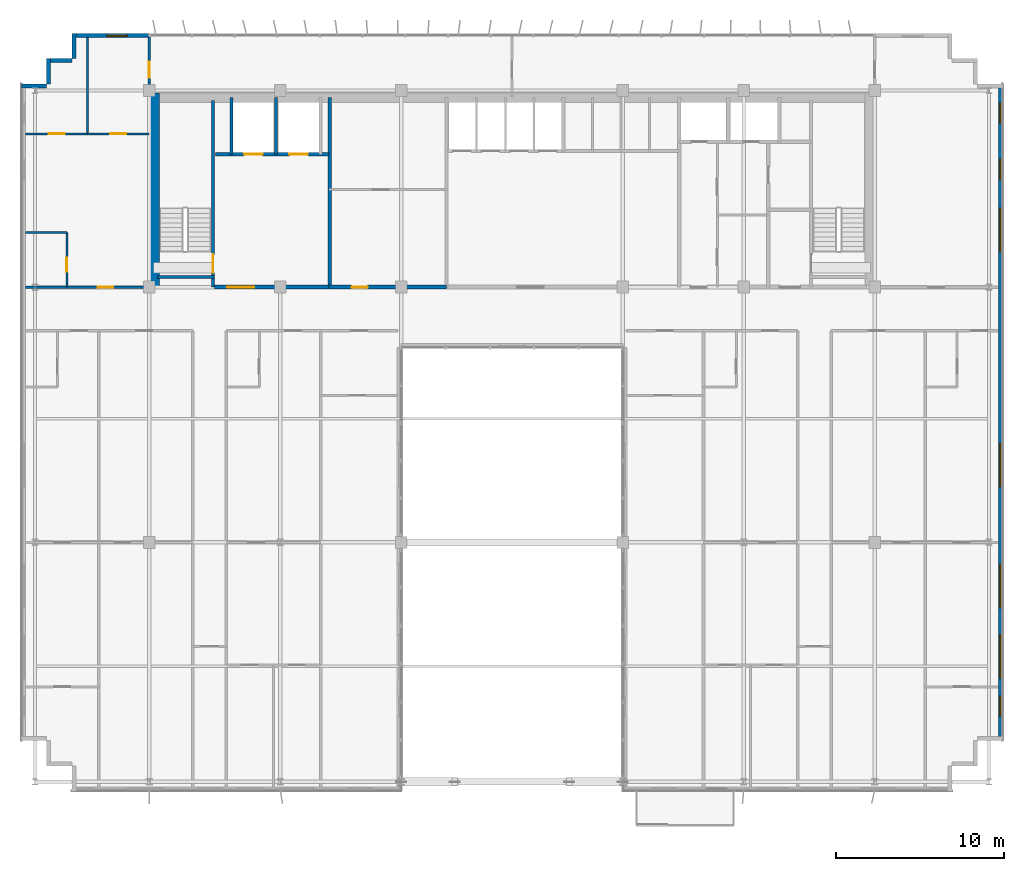
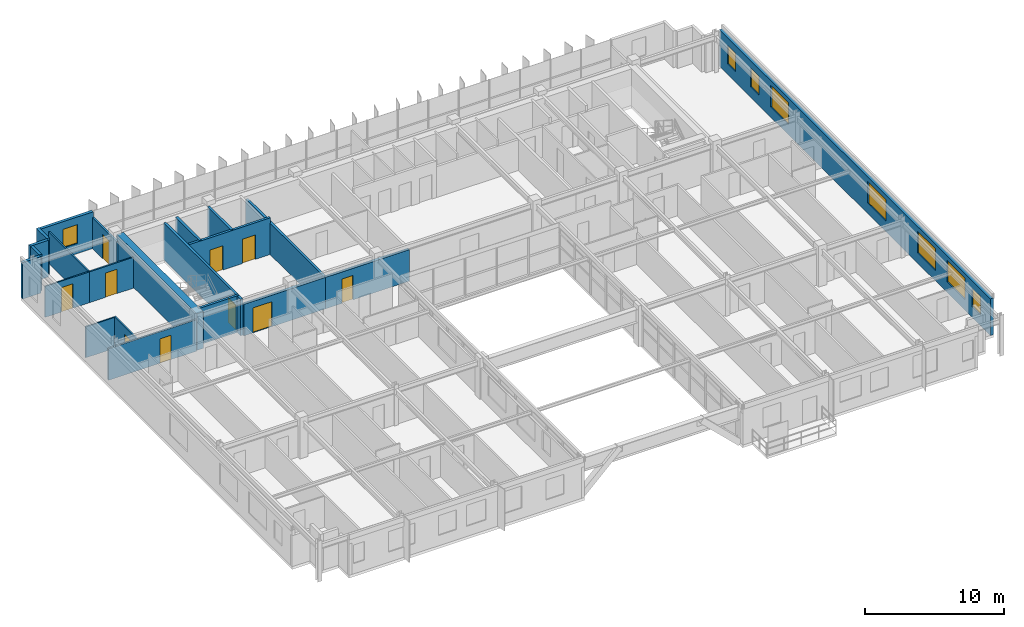
# One storey, part 33 of 37: 22 walls, 10 doors, 8 windows, 18 openings.
"""IFC4 building model written with IfcOpenShell, lengths in metres."""

from ifc_helpers import new_model, si_unit, direction, frame, frame_2d, origin, place, context, subcontext, project, spatial, rectangle, extrude, source, transform, mapped, material, layer, layer_set, type_object, element, fill, save


model = new_model("IFC4")

# Units and contexts
model_context = context("Model", 3, precision=1e-05, world=origin(), true_north=direction((0.0, 1.0)))
body_context = subcontext(model_context, "Body", "Model", "MODEL_VIEW")
ifc_project = project(units=[si_unit("LENGTHUNIT", "METRE"), si_unit("AREAUNIT", "SQUARE_METRE"), si_unit("VOLUMEUNIT", "CUBIC_METRE"), si_unit("PLANEANGLEUNIT", "RADIAN"), si_unit("MASSUNIT", "GRAM", prefix="KILO")], contexts=[model_context])

# Site, building, storey
site_placement = place(None, origin())
site = spatial("IfcSite", under=ifc_project, at=site_placement, CompositionType="ELEMENT")
building_placement = place(site_placement, origin())
building = spatial("IfcBuilding", under=site, at=building_placement, Name="Trelvane Seafront Commons", CompositionType="ELEMENT")
storey_placement = place(building_placement, frame((0.0, 0.0, 201.300048828125)))
storey = spatial("IfcBuildingStorey", under=building, at=storey_placement, Name="L52", CompositionType="ELEMENT", Elevation=201.300048828125)

# Wall, opening, window
ifc_material_1 = material(Name="Precast concrete C40/50", Category="concrete")
ifc_layer_1 = layer(ifc_material_1, 0.239990234375, Name="ARCH-WALL-EXT240")
ifc_layer_set_1 = layer_set([ifc_layer_1], Name="Precast concrete C40/50")
wall_type_1 = type_object("IfcWallType", Name="ARCH-WALL-EXT240", PredefinedType="SOLIDWALL", material=ifc_layer_set_1)
wall_1_placement = place(storey_placement, frame((11.10009765625, 48.3701171875, 0.0), z_axis=(0.0, 0.0, 1.0), x_axis=(1.0, 0.0, 0.0)))
wall_1 = element("IfcWall", 1, at=wall_1_placement, inside=storey, type_object=wall_type_1, Name="EW-L52-NW-1032", PredefinedType="SOLIDWALL", context=body_context, shape_type="SweptSolid", body=[
    extrude(rectangle(XDim=4.5, YDim=0.239990234375, at=frame_2d((2.25, 0.0))), origin(), (0.0, 0.0, 1.0), 3.219970703125),
])
opening_1_placement = place(wall_1_placement, frame((1.98291015625, 0.0, 0.89990234375)))
opening_1 = element("IfcOpeningElement", 2, at=opening_1_placement, cuts=wall_1, Name="Opening W05", PredefinedType="OPENING", context=body_context, shape_type="SweptSolid", body=[
    extrude(rectangle(XDim=1.199951171875, YDim=1.64990234375, at=frame_2d((0.60009765625, 0.824951171875))), frame((0.0, 0.1298828125, 0.0), z_axis=(0.0, -1.0, 0.0), x_axis=(1.0, 0.0, 0.0)), (0.0, 0.0, 1.0), 0.260009765625),
])
ifc_material_2 = material(Name="Low-E coastal double glazing", Category="glass")
window_type_1 = type_object("IfcWindowType", Name="ARCH-WIN-W05", PartitioningType="SINGLE_PANEL", PredefinedType="WINDOW", material=ifc_material_2)
shared_shape_1 = source(origin(), body_context, "Body", "SweptSolid", [
    extrude(rectangle(XDim=1.199951171875, YDim=1.64990234375, at=frame_2d((0.60009765625, 0.824951171875))), frame((0.0, 0.030029296875, 0.0), z_axis=(0.0, -1.0, 0.0), x_axis=(1.0, 0.0, 0.0)), (0.0, 0.0, 1.0), 0.06005859375),
])
window_1_placement = place(opening_1_placement, origin())
window_1 = element("IfcWindow", 3, at=window_1_placement, inside=storey, type_object=window_type_1, Name="WIN-L52-01236", OverallHeight=1.64990234375, OverallWidth=1.199951171875, PartitioningType="SINGLE_PANEL", PredefinedType="WINDOW", context=body_context, shape_type="MappedRepresentation", body=[
    mapped(shared_shape_1, transform((0.0, 0.0, 0.0), x_axis=(1.0, 0.0, 0.0), y_axis=(0.0, 1.0, 0.0), z_axis=(0.0, 0.0, 1.0), scale=1.0)),
])
fill(opening_1, window_1)

# Walls
for number, where, z_axis, x_axis, name in (
    (4, (8.0, 45.3798828125, 0.0), (0.0, 0.0, 1.0), (1.0, 0.0, 0.0), "EW-L52-01038"),
    (5, (9.6201171875, 45.5, 0.0), (0.0, 0.0, 1.0), (0.0, 1.0, 0.0), "EW-L52-01039"),
    (6, (9.5, 46.8798828125, 0.0), (0.0, 0.0, 1.0), (1.0, 0.0, 0.0), "EW-L52-01040"),
    (7, (11.1201171875, 47.0, 0.0), (0.0, 0.0, 1.0), (0.0, 1.0, 0.0), "EW-L52-01041"),
):
    element("IfcWall", number, at=place(storey_placement, frame(where, z_axis=z_axis, x_axis=x_axis)), inside=storey, type_object=wall_type_1, Name=name, PredefinedType="SOLIDWALL", context=body_context, shape_type="SweptSolid", body=[
        extrude(rectangle(XDim=1.5, YDim=0.239990234375, at=frame_2d((0.75, 0.0))), origin(), (0.0, 0.0, 1.0), 3.219970703125),
    ])

# Wall, openings, windows
wall_2_placement = place(storey_placement, frame((66.280029296875, 45.5, 0.0), z_axis=(0.0, 0.0, 1.0), x_axis=(0.0, -1.0, 0.0)))
wall_2 = element("IfcWall", 8, at=wall_2_placement, inside=storey, type_object=wall_type_1, Name="EW-L52-01046", PredefinedType="SOLIDWALL", context=body_context, shape_type="SweptSolid", body=[
    extrude(rectangle(XDim=39.10009765625, YDim=0.239990234375, at=frame_2d((19.550048828125, 0.0))), origin(), (0.0, 0.0, 1.0), 3.219970703125),
])
opening_2_placement = place(wall_2_placement, frame((36.449951171875, 0.0, 0.919921875)))
opening_2 = element("IfcOpeningElement", 9, at=opening_2_placement, cuts=wall_2, Name="Opening W05", PredefinedType="OPENING", context=body_context, shape_type="SweptSolid", body=[
    extrude(rectangle(XDim=1.199951171875, YDim=1.64990234375, at=frame_2d((0.60009765625, 0.824951171875))), frame((0.0, 0.1298828125, 0.0), z_axis=(0.0, -1.0, 0.0), x_axis=(1.0, 0.0, 0.0)), (0.0, 0.0, 1.0), 0.260009765625),
])
opening_3_placement = place(wall_2_placement, frame((32.800048828125, 0.0, 0.919921875)))
opening_3 = element("IfcOpeningElement", 10, at=opening_3_placement, cuts=wall_2, Name="Opening W04", PredefinedType="OPENING", context=body_context, shape_type="SweptSolid", body=[
    extrude(rectangle(XDim=2.60009765625, YDim=1.89990234375, at=frame_2d((1.300048828125, 0.949951171875))), frame((0.0, 0.1298828125, 0.0), z_axis=(0.0, -1.0, 0.0), x_axis=(1.0, 0.0, 0.0)), (0.0, 0.0, 1.0), 0.260009765625),
])
opening_4_placement = place(wall_2_placement, frame((28.60009765625, 0.0, 0.919921875)))
opening_4 = element("IfcOpeningElement", 11, at=opening_4_placement, cuts=wall_2, Name="Opening W04", PredefinedType="OPENING", context=body_context, shape_type="SweptSolid", body=[
    extrude(rectangle(XDim=2.60009765625, YDim=1.89990234375, at=frame_2d((1.300048828125, 0.949951171875))), frame((0.0, 0.1298828125, 0.0), z_axis=(0.0, -1.0, 0.0), x_axis=(1.0, 0.0, 0.0)), (0.0, 0.0, 1.0), 0.260009765625),
])
opening_5_placement = place(wall_2_placement, frame((21.39990234375, 0.0, 0.919921875)))
opening_5 = element("IfcOpeningElement", 12, at=opening_5_placement, cuts=wall_2, Name="Opening W04", PredefinedType="OPENING", context=body_context, shape_type="SweptSolid", body=[
    extrude(rectangle(XDim=2.60009765625, YDim=1.89990234375, at=frame_2d((1.300048828125, 0.949951171875))), frame((0.0, 0.1298828125, 0.0), z_axis=(0.0, -1.0, 0.0), x_axis=(1.0, 0.0, 0.0)), (0.0, 0.0, 1.0), 0.260009765625),
])
opening_6_placement = place(wall_2_placement, frame((7.39990234375, 0.0, 0.919921875)))
opening_6 = element("IfcOpeningElement", 13, at=opening_6_placement, cuts=wall_2, Name="Opening W04", PredefinedType="OPENING", context=body_context, shape_type="SweptSolid", body=[
    extrude(rectangle(XDim=2.60009765625, YDim=1.89990234375, at=frame_2d((1.300048828125, 0.949951171875))), frame((0.0, 0.1298828125, 0.0), z_axis=(0.0, -1.0, 0.0), x_axis=(1.0, 0.0, 0.0)), (0.0, 0.0, 1.0), 0.260009765625),
])
opening_7_placement = place(wall_2_placement, frame((4.5, 0.0, 0.919921875)))
opening_7 = element("IfcOpeningElement", 14, at=opening_7_placement, cuts=wall_2, Name="Opening W05", PredefinedType="OPENING", context=body_context, shape_type="SweptSolid", body=[
    extrude(rectangle(XDim=1.199951171875, YDim=1.64990234375, at=frame_2d((0.60009765625, 0.824951171875))), frame((0.0, 0.1298828125, 0.0), z_axis=(0.0, -1.0, 0.0), x_axis=(1.0, 0.0, 0.0)), (0.0, 0.0, 1.0), 0.260009765625),
])
opening_8_placement = place(wall_2_placement, frame((1.14990234375, 0.0, 0.919921875)))
opening_8 = element("IfcOpeningElement", 15, at=opening_8_placement, cuts=wall_2, Name="Opening W05", PredefinedType="OPENING", context=body_context, shape_type="SweptSolid", body=[
    extrude(rectangle(XDim=1.199951171875, YDim=1.64990234375, at=frame_2d((0.60009765625, 0.824951171875))), frame((0.0, 0.1298828125, 0.0), z_axis=(0.0, -1.0, 0.0), x_axis=(1.0, 0.0, 0.0)), (0.0, 0.0, 1.0), 0.260009765625),
])
window_type_2 = type_object("IfcWindowType", Name="ARCH-WIN-W04", PartitioningType="SINGLE_PANEL", PredefinedType="WINDOW", material=ifc_material_2)
shared_shape_2 = source(origin(), body_context, "Body", "SweptSolid", [
    extrude(rectangle(XDim=2.60009765625, YDim=1.89990234375, at=frame_2d((1.300048828125, 0.949951171875))), frame((0.0, 0.030029296875, 0.0), z_axis=(0.0, -1.0, 0.0), x_axis=(1.0, 0.0, 0.0)), (0.0, 0.0, 1.0), 0.06005859375),
])
window_2_placement = place(opening_3_placement, origin())
window_2 = element("IfcWindow", 16, at=window_2_placement, inside=storey, type_object=window_type_2, Name="WIN-L52-EW-01245", OverallHeight=1.89990234375, OverallWidth=2.60009765625, PartitioningType="SINGLE_PANEL", PredefinedType="WINDOW", context=body_context, shape_type="MappedRepresentation", body=[
    mapped(shared_shape_2, transform((0.0, 0.0, 0.0), x_axis=(1.0, 0.0, 0.0), y_axis=(0.0, 1.0, 0.0), z_axis=(0.0, 0.0, 1.0), scale=1.0)),
])
fill(opening_3, window_2)
window_3_placement = place(opening_4_placement, origin())
window_3 = element("IfcWindow", 17, at=window_3_placement, inside=storey, type_object=window_type_2, Name="WIN-L52-EW-01246", OverallHeight=1.89990234375, OverallWidth=2.60009765625, PartitioningType="SINGLE_PANEL", PredefinedType="WINDOW", context=body_context, shape_type="MappedRepresentation", body=[
    mapped(shared_shape_2, transform((0.0, 0.0, 0.0), x_axis=(1.0, 0.0, 0.0), y_axis=(0.0, 1.0, 0.0), z_axis=(0.0, 0.0, 1.0), scale=1.0)),
])
fill(opening_4, window_3)
window_4_placement = place(opening_5_placement, origin())
window_4 = element("IfcWindow", 18, at=window_4_placement, inside=storey, type_object=window_type_2, Name="WIN-L52-EW-01247", OverallHeight=1.89990234375, OverallWidth=2.60009765625, PartitioningType="SINGLE_PANEL", PredefinedType="WINDOW", context=body_context, shape_type="MappedRepresentation", body=[
    mapped(shared_shape_2, transform((0.0, 0.0, 0.0), x_axis=(1.0, 0.0, 0.0), y_axis=(0.0, 1.0, 0.0), z_axis=(0.0, 0.0, 1.0), scale=1.0)),
])
fill(opening_5, window_4)
window_5_placement = place(opening_6_placement, origin())
window_5 = element("IfcWindow", 19, at=window_5_placement, inside=storey, type_object=window_type_2, Name="WIN-L52-EW-01248", OverallHeight=1.89990234375, OverallWidth=2.60009765625, PartitioningType="SINGLE_PANEL", PredefinedType="WINDOW", context=body_context, shape_type="MappedRepresentation", body=[
    mapped(shared_shape_2, transform((0.0, 0.0, 0.0), x_axis=(1.0, 0.0, 0.0), y_axis=(0.0, 1.0, 0.0), z_axis=(0.0, 0.0, 1.0), scale=1.0)),
])
fill(opening_6, window_5)
window_6_placement = place(opening_2_placement, origin())
window_6 = element("IfcWindow", 20, at=window_6_placement, inside=storey, type_object=window_type_1, Name="WIN-L52-EW-01244", OverallHeight=1.64990234375, OverallWidth=1.199951171875, PartitioningType="SINGLE_PANEL", PredefinedType="WINDOW", context=body_context, shape_type="MappedRepresentation", body=[
    mapped(shared_shape_1, transform((0.0, 0.0, 0.0), x_axis=(1.0, 0.0, 0.0), y_axis=(0.0, 1.0, 0.0), z_axis=(0.0, 0.0, 1.0), scale=1.0)),
])
fill(opening_2, window_6)
window_7_placement = place(opening_7_placement, origin())
window_7 = element("IfcWindow", 21, at=window_7_placement, inside=storey, type_object=window_type_1, Name="WIN-L52-EW-01249", OverallHeight=1.64990234375, OverallWidth=1.199951171875, PartitioningType="SINGLE_PANEL", PredefinedType="WINDOW", context=body_context, shape_type="MappedRepresentation", body=[
    mapped(shared_shape_1, transform((0.0, 0.0, 0.0), x_axis=(1.0, 0.0, 0.0), y_axis=(0.0, 1.0, 0.0), z_axis=(0.0, 0.0, 1.0), scale=1.0)),
])
fill(opening_7, window_7)
window_8_placement = place(opening_8_placement, origin())
window_8 = element("IfcWindow", 22, at=window_8_placement, inside=storey, type_object=window_type_1, Name="WIN-L52-EW-01250", OverallHeight=1.64990234375, OverallWidth=1.199951171875, PartitioningType="SINGLE_PANEL", PredefinedType="WINDOW", context=body_context, shape_type="MappedRepresentation", body=[
    mapped(shared_shape_1, transform((0.0, 0.0, 0.0), x_axis=(1.0, 0.0, 0.0), y_axis=(0.0, 1.0, 0.0), z_axis=(0.0, 0.0, 1.0), scale=1.0)),
])
fill(opening_8, window_8)

# Wall, opening, door
ifc_material_3 = material(Name="Concrete C40/50", Category="concrete")
ifc_layer_2 = layer(ifc_material_3, 0.25, Name="ARCH-WALL-FIRE250")
ifc_layer_set_2 = layer_set([ifc_layer_2], Name="Concrete C40/50")
wall_type_2 = type_object("IfcWallType", Name="ARCH-WALL-FIRE250", PredefinedType="PARTITIONING", material=ifc_layer_set_2)
wall_3_placement = place(storey_placement, frame((19.5, 33.39990234375, 0.0), z_axis=(0.0, 0.0, 1.0), x_axis=(1.0, 0.0, 0.0)))
wall_3 = element("IfcWall", 23, at=wall_3_placement, inside=storey, type_object=wall_type_2, Name="W-L52-CS-FFL-013", PredefinedType="PARTITIONING", context=body_context, shape_type="SweptSolid", body=[
    extrude(rectangle(XDim=6.800048828125, YDim=0.25, at=frame_2d((3.39990234375, 0.0))), origin(), (0.0, 0.0, 1.0), 2.77001953125),
])
opening_9_placement = place(wall_3_placement, frame((0.75, 0.0, 0.0)))
opening_9 = element("IfcOpeningElement", 24, at=opening_9_placement, cuts=wall_3, Name="Opening FD-L52-05", PredefinedType="OPENING", context=body_context, shape_type="SweptSolid", body=[
    extrude(rectangle(XDim=1.60009765625, YDim=2.199951171875, at=frame_2d((0.800048828125, 1.10009765625))), frame((0.0, 0.135009765625, 0.0), z_axis=(0.0, -1.0, 0.0), x_axis=(1.0, 0.0, 0.0)), (0.0, 0.0, 1.0), 0.27001953125),
])
ifc_material_4 = material(Name="Powder-coated aluminium frame", Category="aluminium")
door_type_1 = type_object("IfcDoorType", Name="ARCH-DR-FD60-1600", OperationType="DOUBLE_DOOR_SINGLE_SWING", PredefinedType="DOOR", material=ifc_material_4)
shared_shape_3 = source(origin(), body_context, "Body", "SweptSolid", [
    extrude(rectangle(XDim=1.60009765625, YDim=2.199951171875, at=frame_2d((0.800048828125, 1.10009765625))), frame((0.0, 0.02490234375, 0.0), z_axis=(0.0, -1.0, 0.0), x_axis=(1.0, 0.0, 0.0)), (0.0, 0.0, 1.0), 0.050048828125),
])
door_1_placement = place(opening_9_placement, origin())
door_1 = element("IfcDoor", 25, at=door_1_placement, inside=storey, type_object=door_type_1, Name="L52 Firefighting Lift Lobby Double Fire Door", OperationType="DOUBLE_DOOR_SINGLE_SWING", OverallHeight=2.199951171875, OverallWidth=1.60009765625, PredefinedType="DOOR", context=body_context, shape_type="MappedRepresentation", body=[
    mapped(shared_shape_3, transform((0.0, 0.0, 0.0), x_axis=(1.0, 0.0, 0.0), y_axis=(0.0, 1.0, 0.0), z_axis=(0.0, 0.0, 1.0), scale=1.0)),
])
fill(opening_9, door_1)

wall_4_placement = place(storey_placement, frame((26.300048828125, 33.39990234375, 0.0), z_axis=(0.0, 0.0, 1.0), x_axis=(1.0, 0.0, 0.0)))
wall_4 = element("IfcWall", 26, at=wall_4_placement, inside=storey, type_object=wall_type_2, Name="W-L52-CS-FPL-026", PredefinedType="PARTITIONING", context=body_context, shape_type="SweptSolid", body=[
    extrude(rectangle(XDim=7.0, YDim=0.25, at=frame_2d((3.5, 0.0))), origin(), (0.0, 0.0, 1.0), 2.77001953125),
])
opening_10_placement = place(wall_4_placement, frame((1.35009765625, 0.0, 0.0)))
opening_10 = element("IfcOpeningElement", 27, at=opening_10_placement, cuts=wall_4, Name="Opening D-L52-11", PredefinedType="OPENING", context=body_context, shape_type="SweptSolid", body=[
    extrude(rectangle(XDim=0.949951171875, YDim=2.14990234375, at=frame_2d((0.47509765625, 1.074951171875))), frame((0.0, 0.135009765625, 0.0), z_axis=(0.0, -1.0, 0.0), x_axis=(1.0, 0.0, 0.0)), (0.0, 0.0, 1.0), 0.27001953125),
])
ifc_material_5 = material(Name="Acoustic timber door leaf", Category="wood")
door_type_2 = type_object("IfcDoorType", Name="ARCH-DR-INT950", OperationType="NOTDEFINED", PredefinedType="DOOR", material=ifc_material_5)
shared_shape_4 = source(origin(), body_context, "Body", "SweptSolid", [
    extrude(rectangle(XDim=0.949951171875, YDim=2.14990234375, at=frame_2d((0.47509765625, 1.074951171875))), frame((0.0, 0.02490234375, 0.0), z_axis=(0.0, -1.0, 0.0), x_axis=(1.0, 0.0, 0.0)), (0.0, 0.0, 1.0), 0.050048828125),
])
door_2_placement = place(opening_10_placement, origin())
door_2 = element("IfcDoor", 28, at=door_2_placement, inside=storey, type_object=door_type_2, Name="L52 Floor Pantry Entrance Door", OperationType="SINGLE_SWING_LEFT", OverallHeight=2.14990234375, OverallWidth=0.949951171875, PredefinedType="DOOR", context=body_context, shape_type="MappedRepresentation", body=[
    mapped(shared_shape_4, transform((0.0, 0.0, 0.0), x_axis=(1.0, 0.0, 0.0), y_axis=(0.0, 1.0, 0.0), z_axis=(0.0, 0.0, 1.0), scale=1.0)),
])
fill(opening_10, door_2)

ifc_material_6 = material(Name="Gypsum Drywall Acoustic Partition")
ifc_layer_3 = layer(ifc_material_6, 0.1201171875, Name="ARCH-WALL-PART120")
ifc_layer_set_3 = layer_set([ifc_layer_3], Name="Gypsum Drywall Acoustic Partition")
wall_type_3 = type_object("IfcWallType", Name="ARCH-WALL-PART120", PredefinedType="PARTITIONING", material=ifc_layer_set_3)
wall_5_placement = place(storey_placement, frame((10.699951171875, 33.39990234375, 0.0), z_axis=(0.0, 0.0, 1.0), x_axis=(0.0, 1.0, 0.0)))
wall_5 = element("IfcWall", 29, at=wall_5_placement, inside=storey, type_object=wall_type_3, Name="W-L52-NW-BE-036", PredefinedType="PARTITIONING", context=body_context, shape_type="SweptSolid", body=[
    extrude(rectangle(XDim=3.25, YDim=0.1201171875, at=frame_2d((1.625, 0.0))), origin(), (0.0, 0.0, 1.0), 2.77001953125),
])
opening_11_placement = place(wall_5_placement, frame((0.89990234375, 0.0, 0.0)))
opening_11 = element("IfcOpeningElement", 30, at=opening_11_placement, cuts=wall_5, Name="Opening D-L52-20", PredefinedType="OPENING", context=body_context, shape_type="SweptSolid", body=[
    extrude(rectangle(XDim=0.85009765625, YDim=2.10009765625, at=frame_2d((0.425048828125, 1.050048828125))), frame((0.0, 0.070068359375, 0.0), z_axis=(0.0, -1.0, 0.0), x_axis=(1.0, 0.0, 0.0)), (0.0, 0.0, 1.0), 0.14013671875),
])
door_type_3 = type_object("IfcDoorType", Name="ARCH-DR-INT850", OperationType="NOTDEFINED", PredefinedType="DOOR", material=ifc_material_5)
shared_shape_5 = source(origin(), body_context, "Body", "SweptSolid", [
    extrude(rectangle(XDim=0.85009765625, YDim=2.10009765625, at=frame_2d((0.425048828125, 1.050048828125))), frame((0.0, 0.02490234375, 0.0), z_axis=(0.0, -1.0, 0.0), x_axis=(1.0, 0.0, 0.0)), (0.0, 0.0, 1.0), 0.050048828125),
])
door_3_placement = place(opening_11_placement, origin())
door_3 = element("IfcDoor", 31, at=door_3_placement, inside=storey, type_object=door_type_3, Name="L52 Door 20", OperationType="SINGLE_SWING_RIGHT", OverallHeight=2.10009765625, OverallWidth=0.85009765625, PredefinedType="DOOR", context=body_context, shape_type="MappedRepresentation", body=[
    mapped(shared_shape_5, transform((0.0, 0.0, 0.0), x_axis=(1.0, 0.0, 0.0), y_axis=(0.0, 1.0, 0.0), z_axis=(0.0, 0.0, 1.0), scale=1.0)),
])
fill(opening_11, door_3)

# Wall
wall_6_placement = place(storey_placement, frame((8.25, 36.64990234375, 0.0), z_axis=(0.0, 0.0, 1.0), x_axis=(1.0, 0.0, 0.0)))
element("IfcWall", 32, at=wall_6_placement, inside=storey, type_object=wall_type_3, Name="W-L52-NW-BN-037", PredefinedType="PARTITIONING", context=body_context, shape_type="SweptSolid", body=[
    extrude(rectangle(XDim=2.449951171875, YDim=0.1201171875, at=frame_2d((1.22509765625, 0.0))), origin(), (0.0, 0.0, 1.0), 2.719970703125),
])

# Wall, opening, door
wall_7_placement = place(storey_placement, frame((8.25, 42.52001953125, 0.0), z_axis=(0.0, 0.0, 1.0), x_axis=(1.0, 0.0, 0.0)))
wall_7 = element("IfcWall", 33, at=wall_7_placement, inside=storey, type_object=wall_type_3, Name="W-L52-NW-KB1-038", PredefinedType="PARTITIONING", context=body_context, shape_type="SweptSolid", body=[
    extrude(rectangle(XDim=3.675048828125, YDim=0.1201171875, at=frame_2d((1.83740234375, 0.0))), origin(), (0.0, 0.0, 1.0), 2.719970703125),
])
opening_12_placement = place(wall_7_placement, frame((1.363037109375, 0.0, 0.0)))
opening_12 = element("IfcOpeningElement", 34, at=opening_12_placement, cuts=wall_7, Name="Opening D-L52-21", PredefinedType="OPENING", context=body_context, shape_type="SweptSolid", body=[
    extrude(rectangle(XDim=0.949951171875, YDim=2.14990234375, at=frame_2d((0.47509765625, 1.074951171875))), frame((0.0, 0.070068359375, 0.0), z_axis=(0.0, -1.0, 0.0), x_axis=(1.0, 0.0, 0.0)), (0.0, 0.0, 1.0), 0.14013671875),
])
door_4_placement = place(opening_12_placement, origin())
door_4 = element("IfcDoor", 35, at=door_4_placement, inside=storey, type_object=door_type_2, Name="L52 Door 21", OperationType="SINGLE_SWING_LEFT", OverallHeight=2.14990234375, OverallWidth=0.949951171875, PredefinedType="DOOR", context=body_context, shape_type="MappedRepresentation", body=[
    mapped(shared_shape_4, transform((0.0, 0.0, 0.0), x_axis=(1.0, 0.0, 0.0), y_axis=(0.0, 1.0, 0.0), z_axis=(0.0, 0.0, 1.0), scale=1.0)),
])
fill(opening_12, door_4)

wall_8_placement = place(storey_placement, frame((11.925048828125, 42.52001953125, 0.0), z_axis=(0.0, 0.0, 1.0), x_axis=(1.0, 0.0, 0.0)))
wall_8 = element("IfcWall", 36, at=wall_8_placement, inside=storey, type_object=wall_type_3, Name="W-L52-NW-KB2-039", PredefinedType="PARTITIONING", context=body_context, shape_type="SweptSolid", body=[
    extrude(rectangle(XDim=3.675048828125, YDim=0.1201171875, at=frame_2d((1.83740234375, 0.0))), origin(), (0.0, 0.0, 1.0), 2.719970703125),
])
opening_13_placement = place(wall_8_placement, frame((1.362060546875, 0.0, 0.0)))
opening_13 = element("IfcOpeningElement", 37, at=opening_13_placement, cuts=wall_8, Name="Opening D-L52-22", PredefinedType="OPENING", context=body_context, shape_type="SweptSolid", body=[
    extrude(rectangle(XDim=0.949951171875, YDim=2.14990234375, at=frame_2d((0.47509765625, 1.074951171875))), frame((0.0, 0.070068359375, 0.0), z_axis=(0.0, -1.0, 0.0), x_axis=(1.0, 0.0, 0.0)), (0.0, 0.0, 1.0), 0.14013671875),
])
door_5_placement = place(opening_13_placement, origin())
door_5 = element("IfcDoor", 38, at=door_5_placement, inside=storey, type_object=door_type_2, Name="L52 Door 22", OperationType="SINGLE_SWING_RIGHT", OverallHeight=2.14990234375, OverallWidth=0.949951171875, PredefinedType="DOOR", context=body_context, shape_type="MappedRepresentation", body=[
    mapped(shared_shape_4, transform((0.0, 0.0, 0.0), x_axis=(1.0, 0.0, 0.0), y_axis=(0.0, 1.0, 0.0), z_axis=(0.0, 0.0, 1.0), scale=1.0)),
])
fill(opening_13, door_5)

# Wall
wall_9_placement = place(storey_placement, frame((11.925048828125, 42.52001953125, 0.0), z_axis=(0.0, 0.0, 1.0), x_axis=(0.0, 1.0, 0.0)))
element("IfcWall", 39, at=wall_9_placement, inside=storey, type_object=wall_type_3, Name="W-L52-NW-KBDV-040", PredefinedType="PARTITIONING", context=body_context, shape_type="SweptSolid", body=[
    extrude(rectangle(XDim=5.739990234375, YDim=0.1201171875, at=frame_2d((2.8701171875, 0.0))), origin(), (0.0, 0.0, 1.0), 2.77001953125),
])

# Wall, opening, door
ifc_layer_4 = layer(ifc_material_6, 0.14990234375, Name="ARCH-WALL-PART150")
ifc_layer_set_4 = layer_set([ifc_layer_4], Name="Gypsum Drywall Acoustic Partition")
wall_type_4 = type_object("IfcWallType", Name="ARCH-WALL-PART150", PredefinedType="PARTITIONING", material=ifc_layer_set_4)
wall_10_placement = place(storey_placement, frame((8.25, 33.39990234375, 0.0), z_axis=(0.0, 0.0, 1.0), x_axis=(1.0, 0.0, 0.0)))
wall_10 = element("IfcWall", 40, at=wall_10_placement, inside=storey, type_object=wall_type_4, Name="W-L52-NW-ENT-041", PredefinedType="PARTITIONING", context=body_context, shape_type="SweptSolid", body=[
    extrude(rectangle(XDim=7.35009765625, YDim=0.14990234375, at=frame_2d((3.675048828125, 0.0))), origin(), (0.0, 0.0, 1.0), 2.77001953125),
])
opening_14_placement = place(wall_10_placement, frame((4.27490234375, 0.0, 0.0)))
opening_14 = element("IfcOpeningElement", 41, at=opening_14_placement, cuts=wall_10, Name="Opening FD-L52-23", PredefinedType="OPENING", context=body_context, shape_type="SweptSolid", body=[
    extrude(rectangle(XDim=0.949951171875, YDim=2.14990234375, at=frame_2d((0.47509765625, 1.074951171875))), frame((0.0, 0.0849609375, 0.0), z_axis=(0.0, -1.0, 0.0), x_axis=(1.0, 0.0, 0.0)), (0.0, 0.0, 1.0), 0.169921875),
])
door_type_4 = type_object("IfcDoorType", Name="ARCH-DR-FD60-950", OperationType="NOTDEFINED", PredefinedType="DOOR", material=ifc_material_4)
door_6_placement = place(opening_14_placement, origin())
door_6 = element("IfcDoor", 42, at=door_6_placement, inside=storey, type_object=door_type_4, Name="L52 NW Flat Entrance Door", OperationType="SINGLE_SWING_LEFT", OverallHeight=2.14990234375, OverallWidth=0.949951171875, PredefinedType="DOOR", context=body_context, shape_type="MappedRepresentation", body=[
    mapped(shared_shape_4, transform((0.0, 0.0, 0.0), x_axis=(1.0, 0.0, 0.0), y_axis=(0.0, 1.0, 0.0), z_axis=(0.0, 0.0, 1.0), scale=1.0)),
])
fill(opening_14, door_6)

wall_11_placement = place(storey_placement, frame((15.60009765625, 44.75, 0.0), z_axis=(0.0, 0.0, 1.0), x_axis=(0.0, 1.0, 0.0)))
wall_11 = element("IfcWall", 43, at=wall_11_placement, inside=storey, type_object=wall_type_4, Name="W-L52-N-LINK-W-044", PredefinedType="PARTITIONING", context=body_context, shape_type="SweptSolid", body=[
    extrude(rectangle(XDim=3.610107421875, YDim=0.14990234375, at=frame_2d((1.80517578125, 0.0))), origin(), (0.0, 0.0, 1.0), 2.719970703125),
])
opening_15_placement = place(wall_11_placement, frame((1.10009765625, 0.0, 0.0)))
opening_15 = element("IfcOpeningElement", 44, at=opening_15_placement, cuts=wall_11, Name="Opening FD-L52-26", PredefinedType="OPENING", context=body_context, shape_type="SweptSolid", body=[
    extrude(rectangle(XDim=0.949951171875, YDim=2.14990234375, at=frame_2d((0.47509765625, 1.074951171875))), frame((0.0, 0.0849609375, 0.0), z_axis=(0.0, -1.0, 0.0), x_axis=(1.0, 0.0, 0.0)), (0.0, 0.0, 1.0), 0.169921875),
])
door_7_placement = place(opening_15_placement, origin())
door_7 = element("IfcDoor", 45, at=door_7_placement, inside=storey, type_object=door_type_4, Name="L52 Door 26", OperationType="SINGLE_SWING_RIGHT", OverallHeight=2.14990234375, OverallWidth=0.949951171875, PredefinedType="DOOR", context=body_context, shape_type="MappedRepresentation", body=[
    mapped(shared_shape_4, transform((0.0, 0.0, 0.0), x_axis=(1.0, 0.0, 0.0), y_axis=(0.0, 1.0, 0.0), z_axis=(0.0, 0.0, 1.0), scale=1.0)),
])
fill(opening_15, door_7)

# Wall, openings, doors
ifc_layer_5 = layer(ifc_material_3, 0.199951171875, Name="ARCH-WALL-SHAFT200")
ifc_layer_set_5 = layer_set([ifc_layer_5], Name="Concrete C40/50")
wall_type_5 = type_object("IfcWallType", Name="ARCH-WALL-SHAFT200", PredefinedType="SOLIDWALL", material=ifc_layer_set_5)
wall_12_placement = place(storey_placement, frame((19.550048828125, 41.300048828125, 0.0), z_axis=(0.0, 0.0, 1.0), x_axis=(1.0, 0.0, 0.0)))
wall_12 = element("IfcWall", 46, at=wall_12_placement, inside=storey, type_object=wall_type_5, Name="W-L52-FFL-FRONT-008", PredefinedType="SOLIDWALL", context=body_context, shape_type="SweptSolid", body=[
    extrude(rectangle(XDim=6.75, YDim=0.199951171875, at=frame_2d((3.375, 0.0))), origin(), (0.0, 0.0, 1.0), 3.219970703125),
])
opening_16_placement = place(wall_12_placement, frame((1.699951171875, 0.0, 0.0)))
opening_16 = element("IfcOpeningElement", 47, at=opening_16_placement, cuts=wall_12, Name="Opening LD-FF1-L52", PredefinedType="OPENING", context=body_context, shape_type="SweptSolid", body=[
    extrude(rectangle(XDim=1.10009765625, YDim=2.14990234375, at=frame_2d((0.550048828125, 1.074951171875))), frame((0.0, 0.10986328125, 0.0), z_axis=(0.0, -1.0, 0.0), x_axis=(1.0, 0.0, 0.0)), (0.0, 0.0, 1.0), 0.219970703125),
])
opening_17_placement = place(wall_12_placement, frame((4.39990234375, 0.0, 0.0)))
opening_17 = element("IfcOpeningElement", 48, at=opening_17_placement, cuts=wall_12, Name="Opening LD-FF2-L52", PredefinedType="OPENING", context=body_context, shape_type="SweptSolid", body=[
    extrude(rectangle(XDim=1.10009765625, YDim=2.14990234375, at=frame_2d((0.550048828125, 1.074951171875))), frame((0.0, 0.10986328125, 0.0), z_axis=(0.0, -1.0, 0.0), x_axis=(1.0, 0.0, 0.0)), (0.0, 0.0, 1.0), 0.219970703125),
])
ifc_material_7 = material(Name="Stainless steel balustrade", Category="steel")
door_type_5 = type_object("IfcDoorType", Name="ARCH-DR-LD1100", OperationType="DOUBLE_DOOR_SLIDING", PredefinedType="DOOR", material=ifc_material_7)
shared_shape_6 = source(origin(), body_context, "Body", "SweptSolid", [
    extrude(rectangle(XDim=1.10009765625, YDim=2.14990234375, at=frame_2d((0.550048828125, 1.074951171875))), frame((0.0, 0.02490234375, 0.0), z_axis=(0.0, -1.0, 0.0), x_axis=(1.0, 0.0, 0.0)), (0.0, 0.0, 1.0), 0.050048828125),
])
door_8_placement = place(opening_16_placement, origin())
door_8 = element("IfcDoor", 49, at=door_8_placement, inside=storey, type_object=door_type_5, Name="L52 Firefighting Lift FFL-1 Landing Door", OperationType="DOUBLE_DOOR_SLIDING", OverallHeight=2.14990234375, OverallWidth=1.10009765625, PredefinedType="DOOR", context=body_context, shape_type="MappedRepresentation", body=[
    mapped(shared_shape_6, transform((0.0, 0.0, 0.0), x_axis=(1.0, 0.0, 0.0), y_axis=(0.0, 1.0, 0.0), z_axis=(0.0, 0.0, 1.0), scale=1.0)),
])
fill(opening_16, door_8)
door_9_placement = place(opening_17_placement, origin())
door_9 = element("IfcDoor", 50, at=door_9_placement, inside=storey, type_object=door_type_5, Name="L52 Firefighting Lift FFL-2 Landing Door", OperationType="DOUBLE_DOOR_SLIDING", OverallHeight=2.14990234375, OverallWidth=1.10009765625, PredefinedType="DOOR", context=body_context, shape_type="MappedRepresentation", body=[
    mapped(shared_shape_6, transform((0.0, 0.0, 0.0), x_axis=(1.0, 0.0, 0.0), y_axis=(0.0, 1.0, 0.0), z_axis=(0.0, 0.0, 1.0), scale=1.0)),
])
fill(opening_17, door_9)

# Walls
for number, where, z_axis, x_axis, name in (
    (51, (20.5, 41.300048828125, 0.0), (0.0, 0.0, 1.0), (0.0, 1.0, 0.0), "W-L52-FFL-SH-W-009"),
    (52, (23.14990234375, 41.300048828125, 0.0), (0.0, 0.0, 1.0), (0.0, 1.0, 0.0), "W-L52-FFL-DIV-010"),
):
    element("IfcWall", number, at=place(storey_placement, frame(where, z_axis=z_axis, x_axis=x_axis)), inside=storey, type_object=wall_type_5, Name=name, PredefinedType="SOLIDWALL", context=body_context, shape_type="SweptSolid", body=[
        extrude(rectangle(XDim=3.39990234375, YDim=0.199951171875, at=frame_2d((1.699951171875, 0.0))), origin(), (0.0, 0.0, 1.0), 3.219970703125),
    ])
wall_13_placement = place(storey_placement, frame((26.35009765625, 33.39990234375, 0.0), z_axis=(0.0, 0.0, 1.0), x_axis=(0.0, 1.0, 0.0)))
element("IfcWall", 53, at=wall_13_placement, inside=storey, type_object=wall_type_5, Name="W-L52-FFL-EAST-012", PredefinedType="SOLIDWALL", context=body_context, shape_type="SweptSolid", body=[
    extrude(rectangle(XDim=11.300048828125, YDim=0.199951171875, at=frame_2d((5.64990234375, 0.0))), origin(), (0.0, 0.0, 1.0), 2.77001953125),
])
ifc_material_8 = material(Name="Concrete C50/60", Category="concrete")
ifc_layer_6 = layer(ifc_material_8, 0.550048828125, Name="STR-WALL-CORE550")
ifc_layer_set_6 = layer_set([ifc_layer_6], Name="Concrete C50/60")
wall_type_6 = type_object("IfcWallType", Name="STR-WALL-CORE550", PredefinedType="SHEAR", material=ifc_layer_set_6)
wall_14_placement = place(storey_placement, frame((15.925048828125, 33.39990234375, 0.0), z_axis=(0.0, 0.0, 1.0), x_axis=(0.0, 1.0, 0.0)))
element("IfcWall", 54, at=wall_14_placement, inside=storey, type_object=wall_type_6, Name="W-L52-CW-END-002", PredefinedType="SHEAR", context=body_context, shape_type="SweptSolid", body=[
    extrude(rectangle(XDim=11.550048828125, YDim=0.550048828125, at=frame_2d((5.77490234375, 0.0))), origin(), (0.0, 0.0, 1.0), 3.219970703125),
])
ifc_layer_7 = layer(ifc_material_8, 0.199951171875, Name="STR-WALL-STAIR200")
ifc_layer_set_7 = layer_set([ifc_layer_7], Name="Concrete C50/60")
wall_type_7 = type_object("IfcWallType", Name="STR-WALL-STAIR200", PredefinedType="SHEAR", material=ifc_layer_set_7)
wall_15_placement = place(storey_placement, frame((16.10009765625, 34.0, 0.0), z_axis=(0.0, 0.0, 1.0), x_axis=(1.0, 0.0, 0.0)))
element("IfcWall", 55, at=wall_15_placement, inside=storey, type_object=wall_type_7, Name="W-L52-ST1-S-004", PredefinedType="SHEAR", context=body_context, shape_type="SweptSolid", body=[
    extrude(rectangle(XDim=3.39990234375, YDim=0.199951171875, at=frame_2d((1.699951171875, 0.0))), origin(), (0.0, 0.0, 1.0), 3.219970703125),
])

# Wall, opening, door
wall_16_placement = place(storey_placement, frame((19.39990234375, 33.39990234375, 0.0), z_axis=(0.0, 0.0, 1.0), x_axis=(0.0, 1.0, 0.0)))
wall_16 = element("IfcWall", 56, at=wall_16_placement, inside=storey, type_object=wall_type_7, Name="W-L52-ST1-E-005", PredefinedType="SHEAR", context=body_context, shape_type="SweptSolid", body=[
    extrude(rectangle(XDim=11.10009765625, YDim=0.199951171875, at=frame_2d((5.550048828125, 0.0))), origin(), (0.0, 0.0, 1.0), 3.219970703125),
])
opening_18_placement = place(wall_16_placement, frame((0.85009765625, 0.0, 0.0)))
opening_18 = element("IfcOpeningElement", 57, at=opening_18_placement, cuts=wall_16, Name="Opening ST-D1-L52", PredefinedType="OPENING", context=body_context, shape_type="SweptSolid", body=[
    extrude(rectangle(XDim=1.10009765625, YDim=2.14990234375, at=frame_2d((0.550048828125, 1.074951171875))), frame((0.0, 0.10986328125, 0.0), z_axis=(0.0, -1.0, 0.0), x_axis=(1.0, 0.0, 0.0)), (0.0, 0.0, 1.0), 0.219970703125),
])
door_type_6 = type_object("IfcDoorType", Name="ARCH-DR-FD90-1100", OperationType="NOTDEFINED", PredefinedType="DOOR", material=ifc_material_4)
door_10_placement = place(opening_18_placement, origin())
door_10 = element("IfcDoor", 58, at=door_10_placement, inside=storey, type_object=door_type_6, Name="L52 Stair ST-1 Lobby Fire Door", OperationType="SINGLE_SWING_LEFT", OverallHeight=2.14990234375, OverallWidth=1.10009765625, PredefinedType="DOOR", context=body_context, shape_type="MappedRepresentation", body=[
    mapped(shared_shape_6, transform((0.0, 0.0, 0.0), x_axis=(1.0, 0.0, 0.0), y_axis=(0.0, 1.0, 0.0), z_axis=(0.0, 0.0, 1.0), scale=1.0)),
])
fill(opening_18, door_10)

save(model, "model.ifc")
